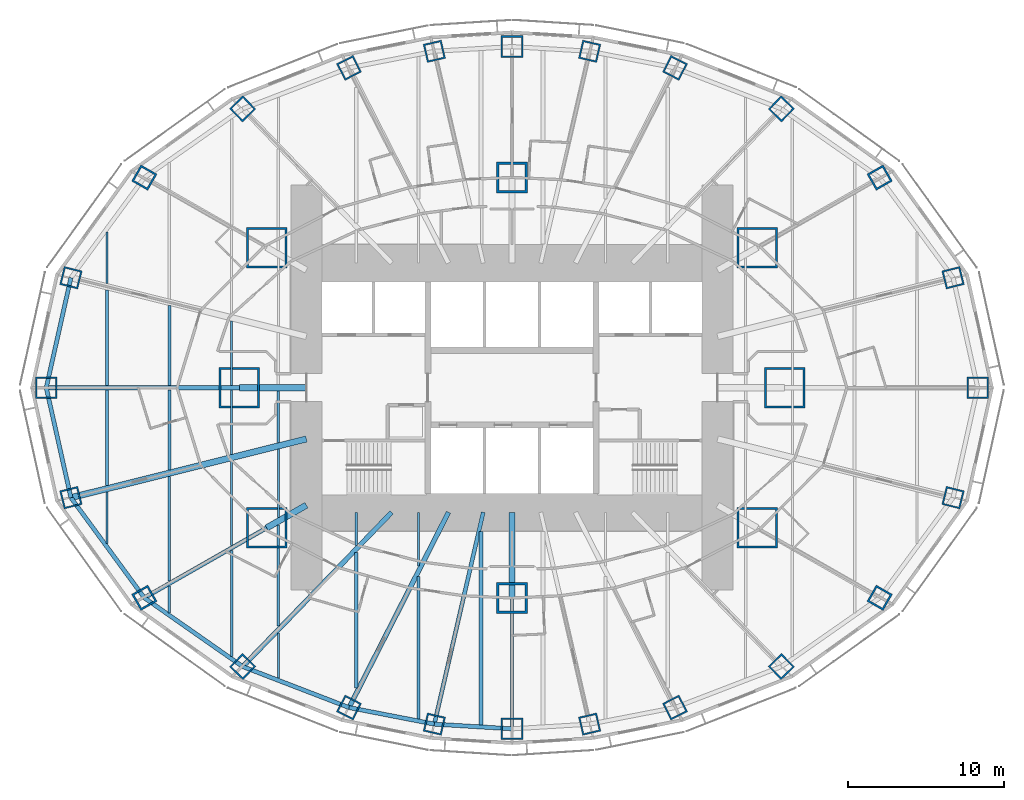
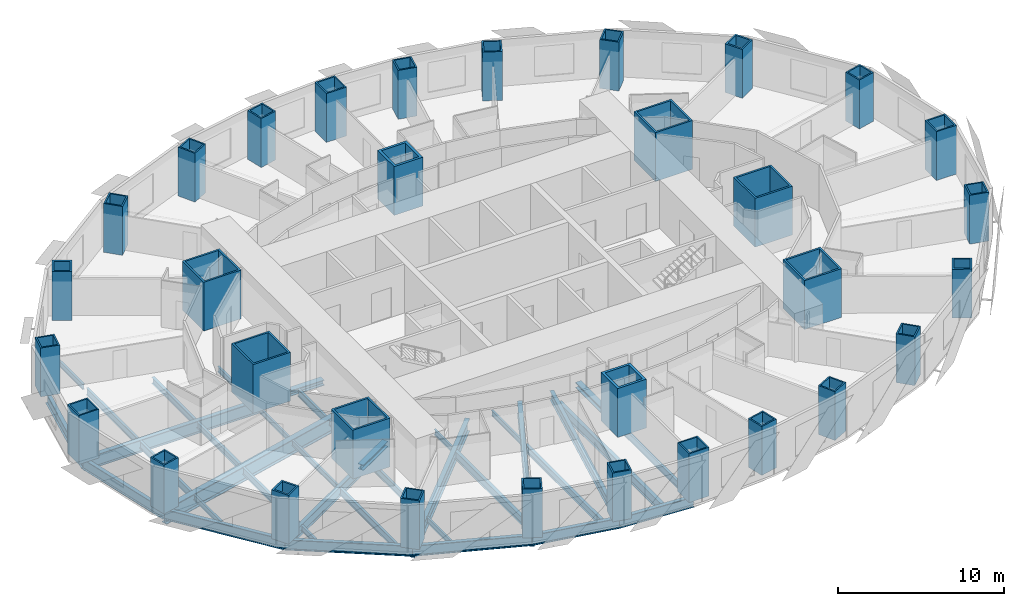
# One storey, part 1 of 15: 38 beams, 32 columns.
"""IFC4 building model written with IfcOpenShell, lengths in metres."""

from ifc_helpers import new_model, si_unit, direction, frame, origin, origin_2d, place, context, subcontext, project, spatial, rectangle, hollow_rectangle, i_section, extrude, material, material_profile, profile_set, type_object, element, save


model = new_model("IFC4")

# Units and contexts
model_context = context("Model", 3, precision=1e-05, world=origin(), true_north=direction((0.0, 1.0)))
body_context = subcontext(model_context, "Body", "Model", "MODEL_VIEW")
ifc_project = project(units=[si_unit("LENGTHUNIT", "METRE"), si_unit("AREAUNIT", "SQUARE_METRE"), si_unit("VOLUMEUNIT", "CUBIC_METRE"), si_unit("PLANEANGLEUNIT", "RADIAN"), si_unit("MASSUNIT", "GRAM", prefix="KILO")], contexts=[model_context])

# Site, building, storey
site_placement = place(None, origin())
site = spatial("IfcSite", under=ifc_project, at=site_placement, CompositionType="ELEMENT")
building_placement = place(site_placement, origin())
building = spatial("IfcBuilding", under=site, at=building_placement, Name="Lantaw Convention Tower", CompositionType="ELEMENT")
storey_placement = place(building_placement, frame((0.0, 0.0, 51.39990234375)))
storey = spatial("IfcBuildingStorey", under=building, at=storey_placement, Name="L10", CompositionType="ELEMENT", Elevation=51.39990234375)

# Columns
ifc_material_1 = material(Name="Steel EN 10025-3 S460N", Category="steel")
ifc_material_profile_1 = material_profile(ifc_material_1, hollow_rectangle(XDim=2.0, YDim=2.0, WallThickness=0.169921875, at=origin_2d()), Name="BOX2000X170")
ifc_material_2 = material(Name="Concrete C60/75", Category="concrete")
ifc_material_profile_2 = material_profile(ifc_material_2, rectangle(XDim=1.659912109375, YDim=1.659912109375, at=origin_2d()), Name="Concrete fill of BOX2000X170")
ifc_profile_set_1 = profile_set([ifc_material_profile_1, ifc_material_profile_2], Name="Steel EN 10025-3 S460N")
column_type_1 = type_object("IfcColumnType", Name="Column MC BOX2000X170", PredefinedType="COLUMN", material=ifc_profile_set_1)
for number, where, z_axis, x_axis, name in (
    (1, (0.0, 13.5, 0.0), (0.0, 0.0, 1.0), (1.0, 0.0, 0.0), "Mega column M3"),
    (2, (0.0, -13.5, 0.0), (0.0, 0.0, 1.0), (1.0, 0.0, 0.0), "Mega column M7"),
):
    element("IfcColumn", number, at=place(storey_placement, frame(where, z_axis=z_axis, x_axis=x_axis)), inside=storey, type_object=column_type_1, Name=name, PredefinedType="COLUMN", context=body_context, shape_type="SweptSolid", body=[
        extrude(hollow_rectangle(XDim=2.0, YDim=2.0, WallThickness=0.169921875, at=origin_2d()), origin(), (0.0, 0.0, 1.0), 3.60009765625),
    ])
ifc_material_profile_3 = material_profile(ifc_material_1, hollow_rectangle(XDim=2.60009765625, YDim=2.60009765625, WallThickness=0.1298828125, at=origin_2d()), Name="BOX2600X130")
ifc_material_profile_4 = material_profile(ifc_material_2, rectangle(XDim=2.340087890625, YDim=2.340087890625, at=origin_2d()), Name="Concrete fill of BOX2600X130")
ifc_profile_set_2 = profile_set([ifc_material_profile_3, ifc_material_profile_4], Name="Steel EN 10025-3 S460N")
column_type_2 = type_object("IfcColumnType", Name="Column MC BOX2600X130", PredefinedType="COLUMN", material=ifc_profile_set_2)
for number, where, z_axis, x_axis, name in (
    (3, (17.5, 0.0, 0.0), (0.0, 0.0, 1.0), (1.0, 0.0, 0.0), "Mega column M1"),
    (4, (15.75, 9.0, 0.0), (0.0, 0.0, 1.0), (1.0, 0.0, 0.0), "Mega column M2"),
    (5, (-15.75, 9.0, 0.0), (0.0, 0.0, 1.0), (1.0, 0.0, 0.0), "Mega column M4"),
    (6, (-17.5, 0.0, 0.0), (0.0, 0.0, 1.0), (1.0, 0.0, 0.0), "Mega column M5"),
    (7, (-15.75, -9.0, 0.0), (0.0, 0.0, 1.0), (1.0, 0.0, 0.0), "Mega column M6"),
    (8, (15.75, -9.0, 0.0), (0.0, 0.0, 1.0), (1.0, 0.0, 0.0), "Mega column M8"),
):
    element("IfcColumn", number, at=place(storey_placement, frame(where, z_axis=z_axis, x_axis=x_axis)), inside=storey, type_object=column_type_2, Name=name, PredefinedType="COLUMN", context=body_context, shape_type="SweptSolid", body=[
        extrude(hollow_rectangle(XDim=2.60009765625, YDim=2.60009765625, WallThickness=0.1298828125, at=origin_2d()), origin(), (0.0, 0.0, 1.0), 3.60009765625),
    ])
ifc_material_profile_5 = material_profile(ifc_material_1, hollow_rectangle(XDim=1.199951171875, YDim=1.199951171875, WallThickness=0.10009765625, at=origin_2d()), Name="BOX1200X100")
ifc_material_profile_6 = material_profile(ifc_material_2, rectangle(XDim=1.0, YDim=1.0, at=origin_2d()), Name="Concrete fill of BOX1200X100")
ifc_profile_set_3 = profile_set([ifc_material_profile_5, ifc_material_profile_6], Name="Steel EN 10025-3 S460N")
column_type_3 = type_object("IfcColumnType", Name="Column PC BOX1200X100", PredefinedType="COLUMN", material=ifc_profile_set_3)
for number, where, z_axis, x_axis, name in (
    (9, (28.31787109375, 7.060302734375, 0.0), (0.0, 0.0, 1.0), (0.970295726276, 0.2419218956, 0.0), "Perimeter column P2"),
    (10, (17.290771484375, 17.9052734375, 0.0), (0.0, 0.0, 1.0), (0.694658370459, 0.719339800339, 0.0), "Perimeter column P4"),
    (11, (10.462646484375, 20.533935546875, 0.0), (0.0, 0.0, 1.0), (0.45399049974, 0.891006524188, 0.0), "Perimeter column P5"),
    (12, (4.986328125, 21.59814453125, 0.0), (0.0, 0.0, 1.0), (0.224951054344, 0.974370064785, 0.0), "Perimeter column P6"),
    (13, (-4.986328125, 21.59814453125, 0.0), (0.0, 0.0, 1.0), (0.974370064785, 0.224951054344, 0.0), "Perimeter column P8"),
    (14, (-10.462646484375, 20.533935546875, 0.0), (0.0, 0.0, 1.0), (0.891006524188, 0.45399049974, 0.0), "Perimeter column P9"),
    (15, (-17.290771484375, 17.9052734375, 0.0), (0.0, 0.0, 1.0), (0.719339800339, 0.694658370459, 0.0), "Perimeter column P10"),
    (16, (-28.31787109375, 7.060302734375, 0.0), (0.0, 0.0, 1.0), (0.2419218956, 0.970295726276, 0.0), "Perimeter column P12"),
    (17, (-28.31787109375, -7.060302734375, 0.0), (0.0, 0.0, 1.0), (0.970295726276, 0.2419218956, 0.0), "Perimeter column P14"),
    (18, (-17.290771484375, -17.9052734375, 0.0), (0.0, 0.0, 1.0), (0.694658370459, 0.719339800339, 0.0), "Perimeter column P16"),
    (19, (-10.462646484375, -20.533935546875, 0.0), (0.0, 0.0, 1.0), (0.45399049974, 0.891006524188, 0.0), "Perimeter column P17"),
    (20, (-4.986328125, -21.59814453125, 0.0), (0.0, 0.0, 1.0), (0.224951054344, 0.974370064785, 0.0), "Perimeter column P18"),
    (21, (4.986328125, -21.59814453125, 0.0), (0.0, 0.0, 1.0), (0.974370064785, 0.224951054344, 0.0), "Perimeter column P20"),
    (22, (10.462646484375, -20.533935546875, 0.0), (0.0, 0.0, 1.0), (0.891006524188, 0.45399049974, 0.0), "Perimeter column P21"),
    (23, (17.290771484375, -17.9052734375, 0.0), (0.0, 0.0, 1.0), (0.719339800339, 0.694658370459, 0.0), "Perimeter column P22"),
    (24, (28.31787109375, -7.060302734375, 0.0), (0.0, 0.0, 1.0), (0.2419218956, 0.970295726276, 0.0), "Perimeter column P24"),
):
    element("IfcColumn", number, at=place(storey_placement, frame(where, z_axis=z_axis, x_axis=x_axis)), inside=storey, type_object=column_type_3, Name=name, PredefinedType="COLUMN", context=body_context, shape_type="SweptSolid", body=[
        extrude(hollow_rectangle(XDim=1.199951171875, YDim=1.199951171875, WallThickness=0.10009765625, at=origin_2d()), origin(), (0.0, 0.0, 1.0), 3.60009765625),
    ])
ifc_material_profile_7 = material_profile(ifc_material_1, hollow_rectangle(XDim=1.199951171875, YDim=1.199951171875, WallThickness=0.1201171875, at=origin_2d()), Name="BOX1200X120")
ifc_material_profile_8 = material_profile(ifc_material_2, rectangle(XDim=0.9599609375, YDim=0.9599609375, at=origin_2d()), Name="Concrete fill of BOX1200X120")
ifc_profile_set_4 = profile_set([ifc_material_profile_7, ifc_material_profile_8], Name="Steel EN 10025-3 S460N")
column_type_4 = type_object("IfcColumnType", Name="Column PC BOX1200X120", PredefinedType="COLUMN", material=ifc_profile_set_4)
for number, where, z_axis, x_axis, name in (
    (25, (23.60498046875, 13.488525390625, 0.0), (0.0, 0.0, 1.0), (0.86824298017, 0.496139221777, 0.0), "Perimeter column P3"),
    (26, (-23.60498046875, 13.488525390625, 0.0), (0.0, 0.0, 1.0), (0.496139221777, 0.86824298017, 0.0), "Perimeter column P11"),
    (27, (-23.60498046875, -13.488525390625, 0.0), (0.0, 0.0, 1.0), (0.86824298017, 0.496139221777, 0.0), "Perimeter column P15"),
    (28, (23.60498046875, -13.488525390625, 0.0), (0.0, 0.0, 1.0), (0.496139221777, 0.86824298017, 0.0), "Perimeter column P23"),
):
    element("IfcColumn", number, at=place(storey_placement, frame(where, z_axis=z_axis, x_axis=x_axis)), inside=storey, type_object=column_type_4, Name=name, PredefinedType="COLUMN", context=body_context, shape_type="SweptSolid", body=[
        extrude(hollow_rectangle(XDim=1.199951171875, YDim=1.199951171875, WallThickness=0.1201171875, at=origin_2d()), origin(), (0.0, 0.0, 1.0), 3.60009765625),
    ])
ifc_material_profile_9 = material_profile(ifc_material_1, hollow_rectangle(XDim=1.39990234375, YDim=1.39990234375, WallThickness=0.10009765625, at=origin_2d()), Name="BOX1400X100")
ifc_material_profile_10 = material_profile(ifc_material_2, rectangle(XDim=1.199951171875, YDim=1.199951171875, at=origin_2d()), Name="Concrete fill of BOX1400X100")
ifc_profile_set_5 = profile_set([ifc_material_profile_9, ifc_material_profile_10], Name="Steel EN 10025-3 S460N")
column_type_5 = type_object("IfcColumnType", Name="Column PC BOX1400X100", PredefinedType="COLUMN", material=ifc_profile_set_5)
for number, where, z_axis, x_axis, name in (
    (29, (29.89990234375, 0.0, 0.0), (0.0, 0.0, 1.0), (1.0, 0.0, 0.0), "Perimeter column P1"),
    (30, (0.0, 21.89990234375, 0.0), (0.0, 0.0, 1.0), (1.0, 0.0, 0.0), "Perimeter column P7"),
    (31, (-29.89990234375, 0.0, 0.0), (0.0, 0.0, 1.0), (1.0, 0.0, 0.0), "Perimeter column P13"),
    (32, (0.0, -21.89990234375, 0.0), (0.0, 0.0, 1.0), (1.0, 0.0, 0.0), "Perimeter column P19"),
):
    element("IfcColumn", number, at=place(storey_placement, frame(where, z_axis=z_axis, x_axis=x_axis)), inside=storey, type_object=column_type_5, Name=name, PredefinedType="COLUMN", context=body_context, shape_type="SweptSolid", body=[
        extrude(hollow_rectangle(XDim=1.39990234375, YDim=1.39990234375, WallThickness=0.10009765625, at=origin_2d()), origin(), (0.0, 0.0, 1.0), 3.60009765625),
    ])

# Beams
ifc_material_3 = material(Name="Steel ASTM A992", Category="steel")
ifc_material_profile_11 = material_profile(ifc_material_3, i_section(OverallWidth=0.2666015625, OverallDepth=0.76953125, WebThickness=0.015625, FlangeThickness=0.025390625, FilletRadius=0.0126953125, at=origin_2d()), Name="W30X132")
ifc_profile_set_6 = profile_set([ifc_material_profile_11], Name="Steel ASTM A992")
beam_type_1 = type_object("IfcBeamType", Name="Beam E W30X132", PredefinedType="SPANDREL", material=ifc_profile_set_6)
for number, where, z_axis, x_axis, name in (
    (33, (-28.31787109375, 7.060302734375, -0.53466796875), (-0.218652184873, -0.975802860239, 0.0), (0.975802860239, -0.218652184873, 0.0), "Edge beam 12"),
    (34, (-29.89990234375, 0.0, -0.53466796875), (0.218652184873, -0.975802860239, 0.0), (0.975802860239, 0.218652184873, 0.0), "Edge beam 13"),
):
    element("IfcBeam", number, at=place(storey_placement, frame(where, z_axis=z_axis, x_axis=x_axis)), inside=storey, type_object=beam_type_1, Name=name, PredefinedType="SPANDREL", context=body_context, shape_type="SweptSolid", body=[
        extrude(i_section(OverallWidth=0.2666015625, OverallDepth=0.76953125, WebThickness=0.015625, FlangeThickness=0.025390625, FilletRadius=0.0126953125, at=origin_2d()), origin(), (0.0, 0.0, 1.0), 7.2353515625),
    ])
beam_1_placement = place(storey_placement, frame((-28.31787109375, -7.060302734375, -0.53466796875), z_axis=(0.591270709086, -0.806473154281, 0.0), x_axis=(0.806473154281, 0.591270709086, 0.0)))
element("IfcBeam", 35, at=beam_1_placement, inside=storey, type_object=beam_type_1, Name="Edge beam 14", PredefinedType="SPANDREL", context=body_context, shape_type="SweptSolid", body=[
    extrude(i_section(OverallWidth=0.2666015625, OverallDepth=0.76953125, WebThickness=0.015625, FlangeThickness=0.025390625, FilletRadius=0.0126953125, at=origin_2d()), origin(), (0.0, 0.0, 1.0), 7.970703125),
])
beam_2_placement = place(storey_placement, frame((-23.60498046875, -13.488525390625, -0.53466796875), z_axis=(0.81942686407, -0.57318375277, 0.0), x_axis=(0.57318375277, 0.81942686407, 0.0)))
element("IfcBeam", 36, at=beam_2_placement, inside=storey, type_object=beam_type_1, Name="Edge beam 15", PredefinedType="SPANDREL", context=body_context, shape_type="SweptSolid", body=[
    extrude(i_section(OverallWidth=0.2666015625, OverallDepth=0.76953125, WebThickness=0.015625, FlangeThickness=0.025390625, FilletRadius=0.0126953125, at=origin_2d()), origin(), (0.0, 0.0, 1.0), 7.70556640625),
])
beam_3_placement = place(storey_placement, frame((-17.290771484375, -17.9052734375, -0.53466796875), z_axis=(0.933232900641, -0.359271976588, 0.0), x_axis=(0.359271976588, 0.933232900641, 0.0)))
element("IfcBeam", 37, at=beam_3_placement, inside=storey, type_object=beam_type_1, Name="Edge beam 16", PredefinedType="SPANDREL", context=body_context, shape_type="SweptSolid", body=[
    extrude(i_section(OverallWidth=0.2666015625, OverallDepth=0.76953125, WebThickness=0.015625, FlangeThickness=0.025390625, FilletRadius=0.0126953125, at=origin_2d()), origin(), (0.0, 0.0, 1.0), 7.316650390625),
])
beam_4_placement = place(storey_placement, frame((-10.462646484375, -20.533935546875, -0.53466796875), z_axis=(0.981636565323, -0.190760723474, 0.0), x_axis=(0.190760723474, 0.981636565323, 0.0)))
element("IfcBeam", 38, at=beam_4_placement, inside=storey, type_object=beam_type_1, Name="Edge beam 17", PredefinedType="SPANDREL", context=body_context, shape_type="SweptSolid", body=[
    extrude(i_section(OverallWidth=0.2666015625, OverallDepth=0.76953125, WebThickness=0.015625, FlangeThickness=0.025390625, FilletRadius=0.0126953125, at=origin_2d()), origin(), (0.0, 0.0, 1.0), 5.578857421875),
])
beam_5_placement = place(storey_placement, frame((-4.986328125, -21.59814453125, -0.53466796875), z_axis=(0.998173858406, -0.060406526096, 0.0), x_axis=(0.060406526096, 0.998173858406, 0.0)))
element("IfcBeam", 39, at=beam_5_placement, inside=storey, type_object=beam_type_1, Name="Edge beam 18", PredefinedType="SPANDREL", context=body_context, shape_type="SweptSolid", body=[
    extrude(i_section(OverallWidth=0.2666015625, OverallDepth=0.76953125, WebThickness=0.015625, FlangeThickness=0.025390625, FilletRadius=0.0126953125, at=origin_2d()), origin(), (0.0, 0.0, 1.0), 4.995361328125),
])
ifc_material_profile_12 = material_profile(ifc_material_3, i_section(OverallWidth=0.1650390625, OverallDepth=0.52587890625, WebThickness=0.0087890625, FlangeThickness=0.011474609375, FilletRadius=0.0126953125, at=origin_2d()), Name="W21X44")
ifc_profile_set_7 = profile_set([ifc_material_profile_12], Name="Steel ASTM A992")
beam_type_2 = type_object("IfcBeamType", Name="Beam G W21X44", PredefinedType="BEAM", material=ifc_profile_set_7)
beam_6_placement = place(storey_placement, frame((0.0, -13.5, -0.412841796875), z_axis=(0.0, -1.0, 0.0), x_axis=(1.0, 0.0, 0.0)))
element("IfcBeam", 40, at=beam_6_placement, inside=storey, type_object=beam_type_2, Name="Floor girder on ray 19", PredefinedType="BEAM", context=body_context, shape_type="SweptSolid", body=[
    extrude(i_section(OverallWidth=0.1650390625, OverallDepth=0.52587890625, WebThickness=0.0087890625, FlangeThickness=0.011474609375, FilletRadius=0.0126953125, at=origin_2d()), origin(), (0.0, 0.0, 1.0), 8.39990234375),
])
ifc_material_profile_13 = material_profile(ifc_material_3, i_section(OverallWidth=0.25390625, OverallDepth=0.683349609375, WebThickness=0.012451171875, FlangeThickness=0.01904296875, FilletRadius=0.01513671875, at=origin_2d()), Name="W27X94")
ifc_profile_set_8 = profile_set([ifc_material_profile_13], Name="Steel ASTM A992")
beam_type_3 = type_object("IfcBeamType", Name="Beam G W27X94", PredefinedType="BEAM", material=ifc_profile_set_8)
beam_7_placement = place(storey_placement, frame((-1.846923828125, -8.0, -0.491455078125), z_axis=(-0.224952773175, -0.97436966796, 0.0), x_axis=(0.97436966796, -0.224952773175, 0.0)))
element("IfcBeam", 41, at=beam_7_placement, inside=storey, type_object=beam_type_3, Name="Floor girder on ray 18", PredefinedType="BEAM", context=body_context, shape_type="SweptSolid", body=[
    extrude(i_section(OverallWidth=0.25390625, OverallDepth=0.683349609375, WebThickness=0.012451171875, FlangeThickness=0.01904296875, FilletRadius=0.01513671875, at=origin_2d()), origin(), (0.0, 0.0, 1.0), 13.955810546875),
])
ifc_material_profile_14 = material_profile(ifc_material_3, i_section(OverallWidth=0.2666015625, OverallDepth=0.7568359375, WebThickness=0.013916015625, FlangeThickness=0.019287109375, FilletRadius=0.0126953125, at=origin_2d()), Name="W30X108")
ifc_profile_set_9 = profile_set([ifc_material_profile_14], Name="Steel ASTM A992")
beam_type_4 = type_object("IfcBeamType", Name="Beam G W30X108", PredefinedType="BEAM", material=ifc_profile_set_9)
beam_8_placement = place(storey_placement, frame((-15.75, -9.0, -0.5283203125), z_axis=(-0.868244802791, -0.496136032179, 0.0), x_axis=(0.496136032179, -0.868244802791, 0.0)))
element("IfcBeam", 42, at=beam_8_placement, inside=storey, type_object=beam_type_4, Name="Floor girder on ray 15", PredefinedType="BEAM", context=body_context, shape_type="SweptSolid", body=[
    extrude(i_section(OverallWidth=0.2666015625, OverallDepth=0.7568359375, WebThickness=0.013916015625, FlangeThickness=0.019287109375, FilletRadius=0.0126953125, at=origin_2d()), origin(), (0.0, 0.0, 1.0), 9.046875),
])
ifc_material_profile_15 = material_profile(ifc_material_3, i_section(OverallWidth=0.307373046875, OverallDepth=0.922119140625, WebThickness=0.018310546875, FlangeThickness=0.030029296875, FilletRadius=0.0126953125, at=origin_2d()), Name="W36X182")
ifc_profile_set_10 = profile_set([ifc_material_profile_15], Name="Steel ASTM A992")
beam_type_5 = type_object("IfcBeamType", Name="Beam G W36X182", PredefinedType="BEAM", material=ifc_profile_set_10)
beam_9_placement = place(storey_placement, frame((-17.5, 0.0, -0.61083984375), z_axis=(-1.0, 0.0, 0.0), x_axis=(0.0, -1.0, 0.0)))
element("IfcBeam", 43, at=beam_9_placement, inside=storey, type_object=beam_type_5, Name="Floor girder on ray 13", PredefinedType="BEAM", context=body_context, shape_type="SweptSolid", body=[
    extrude(i_section(OverallWidth=0.307373046875, OverallDepth=0.922119140625, WebThickness=0.018310546875, FlangeThickness=0.030029296875, FilletRadius=0.0126953125, at=origin_2d()), origin(), (0.0, 0.0, 1.0), 12.39990234375),
])
beam_10_placement = place(storey_placement, frame((-7.7255859375, -8.0, -0.61083984375), z_axis=(-0.694649884291, -0.719347995239, 0.0), x_axis=(0.719347995239, -0.694649884291, 0.0)))
element("IfcBeam", 44, at=beam_10_placement, inside=storey, type_object=beam_type_5, Name="Floor girder on ray 16", PredefinedType="BEAM", context=body_context, shape_type="SweptSolid", body=[
    extrude(i_section(OverallWidth=0.307373046875, OverallDepth=0.922119140625, WebThickness=0.018310546875, FlangeThickness=0.030029296875, FilletRadius=0.0126953125, at=origin_2d()), origin(), (0.0, 0.0, 1.0), 13.769775390625),
])
beam_11_placement = place(storey_placement, frame((-4.076171875, -8.0, -0.61083984375), z_axis=(-0.453997016122, -0.891003203896, 0.0), x_axis=(0.891003203896, -0.453997016122, 0.0)))
element("IfcBeam", 45, at=beam_11_placement, inside=storey, type_object=beam_type_5, Name="Floor girder on ray 17", PredefinedType="BEAM", context=body_context, shape_type="SweptSolid", body=[
    extrude(i_section(OverallWidth=0.307373046875, OverallDepth=0.922119140625, WebThickness=0.018310546875, FlangeThickness=0.030029296875, FilletRadius=0.0126953125, at=origin_2d()), origin(), (0.0, 0.0, 1.0), 14.067138671875),
])
ifc_material_profile_16 = material_profile(ifc_material_3, i_section(OverallWidth=0.40380859375, OverallDepth=1.11767578125, WebThickness=0.026123046875, FlangeThickness=0.044921875, FilletRadius=0.02001953125, at=origin_2d()), Name="W44X335")
ifc_profile_set_11 = profile_set([ifc_material_profile_16], Name="Steel ASTM A992")
beam_type_6 = type_object("IfcBeamType", Name="Beam G W44X335", PredefinedType="BEAM", material=ifc_profile_set_11)
beam_12_placement = place(storey_placement, frame((-13.199951171875, -3.291015625, -0.708740234375), z_axis=(-0.970296233567, -0.241919860957, 0.0), x_axis=(0.241919860957, -0.970296233567, 0.0)))
element("IfcBeam", 46, at=beam_12_placement, inside=storey, type_object=beam_type_6, Name="Floor girder on ray 14", PredefinedType="BEAM", context=body_context, shape_type="SweptSolid", body=[
    extrude(i_section(OverallWidth=0.40380859375, OverallDepth=1.11767578125, WebThickness=0.026123046875, FlangeThickness=0.044921875, FilletRadius=0.02001953125, at=origin_2d()), origin(), (0.0, 0.0, 1.0), 15.580810546875),
])
ifc_material_profile_17 = material_profile(ifc_material_3, i_section(OverallWidth=0.40380859375, OverallDepth=0.406494140625, WebThickness=0.027099609375, FlangeThickness=0.043701171875, FilletRadius=0.01513671875, at=origin_2d()), Name="W14X233")
ifc_profile_set_12 = profile_set([ifc_material_profile_17], Name="Steel ASTM A992")
beam_type_7 = type_object("IfcBeamType", Name="Beam GM W14X233", PredefinedType="BEAM", material=ifc_profile_set_12)
beam_13_placement = place(storey_placement, frame((-13.199951171875, 0.0, -0.35302734375), z_axis=(-1.0, 0.0, 0.0), x_axis=(0.0, -1.0, 0.0)))
element("IfcBeam", 47, at=beam_13_placement, inside=storey, type_object=beam_type_7, Name="Core link beam on ray 13", PredefinedType="BEAM", context=body_context, shape_type="SweptSolid", body=[
    extrude(i_section(OverallWidth=0.40380859375, OverallDepth=0.406494140625, WebThickness=0.027099609375, FlangeThickness=0.043701171875, FilletRadius=0.01513671875, at=origin_2d()), origin(), (0.0, 0.0, 1.0), 4.300048828125),
])
beam_14_placement = place(storey_placement, frame((-13.199951171875, -7.54296875, -0.35302734375), z_axis=(-0.868263603466, -0.496103129295, 0.0), x_axis=(0.496103129295, -0.868263603466, 0.0)))
element("IfcBeam", 48, at=beam_14_placement, inside=storey, type_object=beam_type_7, Name="Core link beam on ray 15", PredefinedType="BEAM", context=body_context, shape_type="SweptSolid", body=[
    extrude(i_section(OverallWidth=0.40380859375, OverallDepth=0.406494140625, WebThickness=0.027099609375, FlangeThickness=0.043701171875, FilletRadius=0.01513671875, at=origin_2d()), origin(), (0.0, 0.0, 1.0), 2.93701171875),
])
beam_15_placement = place(storey_placement, frame((0.0, -8.0, -0.35302734375), z_axis=(0.0, -1.0, 0.0), x_axis=(1.0, 0.0, 0.0)))
element("IfcBeam", 49, at=beam_15_placement, inside=storey, type_object=beam_type_7, Name="Core link beam on ray 19", PredefinedType="BEAM", context=body_context, shape_type="SweptSolid", body=[
    extrude(i_section(OverallWidth=0.40380859375, OverallDepth=0.406494140625, WebThickness=0.027099609375, FlangeThickness=0.043701171875, FilletRadius=0.01513671875, at=origin_2d()), origin(), (0.0, 0.0, 1.0), 5.5),
])
ifc_material_profile_18 = material_profile(ifc_material_3, i_section(OverallWidth=0.140380859375, OverallDepth=0.40380859375, WebThickness=0.007080078125, FlangeThickness=0.01123046875, FilletRadius=0.01025390625, at=origin_2d()), Name="W16X31")
ifc_profile_set_13 = profile_set([ifc_material_profile_18], Name="Steel ASTM A992")
beam_type_8 = type_object("IfcBeamType", Name="Beam J W16X31", PredefinedType="JOIST", material=ifc_profile_set_13)
for number, where, z_axis, x_axis, name in (
    (50, (-26.0, -9.996337890625, -0.351806640625), (0.0, 1.0, 0.0), (-1.0, 0.0, 0.0), "Floor joist"),
    (51, (-26.0, 6.690673828125, -0.351806640625), (0.0, 1.0, 0.0), (-1.0, 0.0, 0.0), "Floor joist"),
):
    element("IfcBeam", number, at=place(storey_placement, frame(where, z_axis=z_axis, x_axis=x_axis)), inside=storey, type_object=beam_type_8, Name=name, PredefinedType="JOIST", context=body_context, shape_type="SweptSolid", body=[
        extrude(i_section(OverallWidth=0.140380859375, OverallDepth=0.40380859375, WebThickness=0.007080078125, FlangeThickness=0.01123046875, FilletRadius=0.01025390625, at=origin_2d()), origin(), (0.0, 0.0, 1.0), 3.3056640625),
    ])
beam_16_placement = place(storey_placement, frame((-22.0, -14.448486328125, -0.351806640625), z_axis=(0.0, 1.0, 0.0), x_axis=(-1.0, 0.0, 0.0)))
element("IfcBeam", 52, at=beam_16_placement, inside=storey, type_object=beam_type_8, Name="Floor joist", PredefinedType="JOIST", context=body_context, shape_type="SweptSolid", body=[
    extrude(i_section(OverallWidth=0.140380859375, OverallDepth=0.40380859375, WebThickness=0.007080078125, FlangeThickness=0.01123046875, FilletRadius=0.01025390625, at=origin_2d()), origin(), (0.0, 0.0, 1.0), 1.723388671875),
])
beam_17_placement = place(storey_placement, frame((-18.0, -10.132080078125, -0.351806640625), z_axis=(0.0, 1.0, 0.0), x_axis=(-1.0, 0.0, 0.0)))
element("IfcBeam", 53, at=beam_17_placement, inside=storey, type_object=beam_type_8, Name="Floor joist", PredefinedType="JOIST", context=body_context, shape_type="SweptSolid", body=[
    extrude(i_section(OverallWidth=0.140380859375, OverallDepth=0.40380859375, WebThickness=0.007080078125, FlangeThickness=0.01123046875, FilletRadius=0.01025390625, at=origin_2d()), origin(), (0.0, 0.0, 1.0), 5.43603515625),
])
for number, where, z_axis, x_axis, name in (
    (54, (-18.0, -4.27978515625, -0.351806640625), (0.0, 1.0, 0.0), (-1.0, 0.0, 0.0), "Floor joist"),
    (55, (-18.0, 0.153564453125, -0.351806640625), (0.0, 1.0, 0.0), (-1.0, 0.0, 0.0), "Floor joist"),
):
    element("IfcBeam", number, at=place(storey_placement, frame(where, z_axis=z_axis, x_axis=x_axis)), inside=storey, type_object=beam_type_8, Name=name, PredefinedType="JOIST", context=body_context, shape_type="SweptSolid", body=[
        extrude(i_section(OverallWidth=0.140380859375, OverallDepth=0.40380859375, WebThickness=0.007080078125, FlangeThickness=0.01123046875, FilletRadius=0.01025390625, at=origin_2d()), origin(), (0.0, 0.0, 1.0), 4.126220703125),
    ])
beam_18_placement = place(storey_placement, frame((-15.0, -18.644287109375, -0.351806640625), z_axis=(0.0, 1.0, 0.0), x_axis=(-1.0, 0.0, 0.0)))
element("IfcBeam", 56, at=beam_18_placement, inside=storey, type_object=beam_type_8, Name="Floor joist", PredefinedType="JOIST", context=body_context, shape_type="SweptSolid", body=[
    extrude(i_section(OverallWidth=0.140380859375, OverallDepth=0.40380859375, WebThickness=0.007080078125, FlangeThickness=0.01123046875, FilletRadius=0.01025390625, at=origin_2d()), origin(), (0.0, 0.0, 1.0), 2.89013671875),
])
beam_19_placement = place(storey_placement, frame((-15.0, -8.3388671875, -0.351806640625), z_axis=(0.0, 1.0, 0.0), x_axis=(-1.0, 0.0, 0.0)))
element("IfcBeam", 57, at=beam_19_placement, inside=storey, type_object=beam_type_8, Name="Floor joist", PredefinedType="JOIST", context=body_context, shape_type="SweptSolid", body=[
    extrude(i_section(OverallWidth=0.140380859375, OverallDepth=0.40380859375, WebThickness=0.007080078125, FlangeThickness=0.01123046875, FilletRadius=0.01025390625, at=origin_2d()), origin(), (0.0, 0.0, 1.0), 4.390869140625),
])
beam_20_placement = place(storey_placement, frame((-10.0, -10.134033203125, -0.351806640625), z_axis=(0.0, 1.0, 0.0), x_axis=(-1.0, 0.0, 0.0)))
element("IfcBeam", 58, at=beam_20_placement, inside=storey, type_object=beam_type_8, Name="Floor joist", PredefinedType="JOIST", context=body_context, shape_type="SweptSolid", body=[
    extrude(i_section(OverallWidth=0.140380859375, OverallDepth=0.40380859375, WebThickness=0.007080078125, FlangeThickness=0.01123046875, FilletRadius=0.01025390625, at=origin_2d()), origin(), (0.0, 0.0, 1.0), 2.134033203125),
])
beam_21_placement = place(storey_placement, frame((-6.0, -11.437255859375, -0.351806640625), z_axis=(0.0, 1.0, 0.0), x_axis=(-1.0, 0.0, 0.0)))
element("IfcBeam", 59, at=beam_21_placement, inside=storey, type_object=beam_type_8, Name="Floor joist", PredefinedType="JOIST", context=body_context, shape_type="SweptSolid", body=[
    extrude(i_section(OverallWidth=0.140380859375, OverallDepth=0.40380859375, WebThickness=0.007080078125, FlangeThickness=0.01123046875, FilletRadius=0.01025390625, at=origin_2d()), origin(), (0.0, 0.0, 1.0), 3.437255859375),
])
ifc_material_profile_19 = material_profile(ifc_material_3, i_section(OverallWidth=0.1904296875, OverallDepth=0.457275390625, WebThickness=0.009033203125, FlangeThickness=0.014404296875, FilletRadius=0.01025390625, at=origin_2d()), Name="W18X50")
ifc_profile_set_14 = profile_set([ifc_material_profile_19], Name="Steel ASTM A992")
beam_type_9 = type_object("IfcBeamType", Name="Beam J W18X50", PredefinedType="JOIST", material=ifc_profile_set_14)
for number, where, z_axis, x_axis, name in (
    (60, (-22.0, -5.277099609375, -0.37841796875), (0.0, 1.0, 0.0), (-1.0, 0.0, 0.0), "Floor joist"),
    (61, (-22.0, 0.153564453125, -0.37841796875), (0.0, 1.0, 0.0), (-1.0, 0.0, 0.0), "Floor joist"),
):
    element("IfcBeam", number, at=place(storey_placement, frame(where, z_axis=z_axis, x_axis=x_axis)), inside=storey, type_object=beam_type_9, Name=name, PredefinedType="JOIST", context=body_context, shape_type="SweptSolid", body=[
        extrude(i_section(OverallWidth=0.1904296875, OverallDepth=0.457275390625, WebThickness=0.009033203125, FlangeThickness=0.014404296875, FilletRadius=0.01025390625, at=origin_2d()), origin(), (0.0, 0.0, 1.0), 5.12353515625),
    ])
ifc_material_profile_20 = material_profile(ifc_material_3, i_section(OverallWidth=0.1650390625, OverallDepth=0.52587890625, WebThickness=0.0087890625, FlangeThickness=0.011474609375, FilletRadius=0.0126953125, at=origin_2d()), Name="W21X44")
ifc_profile_set_15 = profile_set([ifc_material_profile_20], Name="Steel ASTM A992")
beam_type_10 = type_object("IfcBeamType", Name="Beam J W21X44", PredefinedType="JOIST", material=ifc_profile_set_15)
beam_22_placement = place(storey_placement, frame((-22.0, -12.41796875, -0.412841796875), z_axis=(0.0, 1.0, 0.0), x_axis=(-1.0, 0.0, 0.0)))
element("IfcBeam", 62, at=beam_22_placement, inside=storey, type_object=beam_type_10, Name="Floor joist", PredefinedType="JOIST", context=body_context, shape_type="SweptSolid", body=[
    extrude(i_section(OverallWidth=0.1650390625, OverallDepth=0.52587890625, WebThickness=0.0087890625, FlangeThickness=0.011474609375, FilletRadius=0.0126953125, at=origin_2d()), origin(), (0.0, 0.0, 1.0), 6.724609375),
])
beam_23_placement = place(storey_placement, frame((-18.0, -17.246337890625, -0.412841796875), z_axis=(0.0, 1.0, 0.0), x_axis=(-1.0, 0.0, 0.0)))
element("IfcBeam", 63, at=beam_23_placement, inside=storey, type_object=beam_type_10, Name="Floor joist", PredefinedType="JOIST", context=body_context, shape_type="SweptSolid", body=[
    extrude(i_section(OverallWidth=0.1650390625, OverallDepth=0.52587890625, WebThickness=0.0087890625, FlangeThickness=0.011474609375, FilletRadius=0.0126953125, at=origin_2d()), origin(), (0.0, 0.0, 1.0), 6.80712890625),
])
beam_24_placement = place(storey_placement, frame((-15.0, -15.311767578125, -0.412841796875), z_axis=(0.0, 1.0, 0.0), x_axis=(-1.0, 0.0, 0.0)))
element("IfcBeam", 64, at=beam_24_placement, inside=storey, type_object=beam_type_10, Name="Floor joist", PredefinedType="JOIST", context=body_context, shape_type="SweptSolid", body=[
    extrude(i_section(OverallWidth=0.1650390625, OverallDepth=0.52587890625, WebThickness=0.0087890625, FlangeThickness=0.011474609375, FilletRadius=0.0126953125, at=origin_2d()), origin(), (0.0, 0.0, 1.0), 6.5078125),
])
ifc_material_profile_21 = material_profile(ifc_material_3, i_section(OverallWidth=0.165771484375, OverallDepth=0.5283203125, WebThickness=0.009765625, FlangeThickness=0.013671875, FilletRadius=0.012939453125, at=origin_2d()), Name="W21X50")
ifc_profile_set_16 = profile_set([ifc_material_profile_21], Name="Steel ASTM A992")
beam_type_11 = type_object("IfcBeamType", Name="Beam J W21X50", PredefinedType="JOIST", material=ifc_profile_set_16)
for number, where, z_axis, x_axis, name in (
    (65, (-26.0, -6.2744140625, -0.4140625), (0.0, 1.0, 0.0), (-1.0, 0.0, 0.0), "Floor joist"),
    (66, (-26.0, 0.153564453125, -0.4140625), (0.0, 1.0, 0.0), (-1.0, 0.0, 0.0), "Floor joist"),
):
    element("IfcBeam", number, at=place(storey_placement, frame(where, z_axis=z_axis, x_axis=x_axis)), inside=storey, type_object=beam_type_11, Name=name, PredefinedType="JOIST", context=body_context, shape_type="SweptSolid", body=[
        extrude(i_section(OverallWidth=0.165771484375, OverallDepth=0.5283203125, WebThickness=0.009765625, FlangeThickness=0.013671875, FilletRadius=0.012939453125, at=origin_2d()), origin(), (0.0, 0.0, 1.0), 6.120849609375),
    ])
beam_25_placement = place(storey_placement, frame((-15.0, -3.53173828125, -0.4140625), z_axis=(0.0, 1.0, 0.0), x_axis=(-1.0, 0.0, 0.0)))
element("IfcBeam", 67, at=beam_25_placement, inside=storey, type_object=beam_type_11, Name="Floor joist", PredefinedType="JOIST", context=body_context, shape_type="SweptSolid", body=[
    extrude(i_section(OverallWidth=0.165771484375, OverallDepth=0.5283203125, WebThickness=0.009765625, FlangeThickness=0.013671875, FilletRadius=0.012939453125, at=origin_2d()), origin(), (0.0, 0.0, 1.0), 3.329833984375),
])
ifc_material_profile_22 = material_profile(ifc_material_3, i_section(OverallWidth=0.2099609375, OverallDepth=0.535888671875, WebThickness=0.010986328125, FlangeThickness=0.017333984375, FilletRadius=0.012939453125, at=origin_2d()), Name="W21X68")
ifc_profile_set_17 = profile_set([ifc_material_profile_22], Name="Steel ASTM A992")
beam_type_12 = type_object("IfcBeamType", Name="Beam J W21X68", PredefinedType="JOIST", material=ifc_profile_set_17)
beam_26_placement = place(storey_placement, frame((-6.0, -21.26513671875, -0.41796875), z_axis=(0.0, 1.0, 0.0), x_axis=(-1.0, 0.0, 0.0)))
element("IfcBeam", 68, at=beam_26_placement, inside=storey, type_object=beam_type_12, Name="Floor joist", PredefinedType="JOIST", context=body_context, shape_type="SweptSolid", body=[
    extrude(i_section(OverallWidth=0.2099609375, OverallDepth=0.535888671875, WebThickness=0.010986328125, FlangeThickness=0.017333984375, FilletRadius=0.012939453125, at=origin_2d()), origin(), (0.0, 0.0, 1.0), 9.15087890625),
])
ifc_material_profile_23 = material_profile(ifc_material_3, i_section(OverallWidth=0.227783203125, OverallDepth=0.60205078125, WebThickness=0.010498046875, FlangeThickness=0.014892578125, FilletRadius=0.012939453125, at=origin_2d()), Name="W24X68")
ifc_profile_set_18 = profile_set([ifc_material_profile_23], Name="Steel ASTM A992")
beam_type_13 = type_object("IfcBeamType", Name="Beam J W24X68", PredefinedType="JOIST", material=ifc_profile_set_18)
beam_27_placement = place(storey_placement, frame((-10.0, -19.28759765625, -0.450927734375), z_axis=(0.0, 1.0, 0.0), x_axis=(-1.0, 0.0, 0.0)))
element("IfcBeam", 69, at=beam_27_placement, inside=storey, type_object=beam_type_13, Name="Floor joist", PredefinedType="JOIST", context=body_context, shape_type="SweptSolid", body=[
    extrude(i_section(OverallWidth=0.227783203125, OverallDepth=0.60205078125, WebThickness=0.010498046875, FlangeThickness=0.014892578125, FilletRadius=0.012939453125, at=origin_2d()), origin(), (0.0, 0.0, 1.0), 8.711181640625),
])
ifc_material_profile_24 = material_profile(ifc_material_3, i_section(OverallWidth=0.25390625, OverallDepth=0.700927734375, WebThickness=0.015380859375, FlangeThickness=0.02783203125, FilletRadius=0.01513671875, at=origin_2d()), Name="W27X129")
ifc_profile_set_19 = profile_set([ifc_material_profile_24], Name="Steel ASTM A992")
beam_type_14 = type_object("IfcBeamType", Name="Beam J W27X129", PredefinedType="JOIST", material=ifc_profile_set_19)
beam_28_placement = place(storey_placement, frame((-2.0, -21.645263671875, -0.50048828125), z_axis=(0.0, 1.0, 0.0), x_axis=(-1.0, 0.0, 0.0)))
element("IfcBeam", 70, at=beam_28_placement, inside=storey, type_object=beam_type_14, Name="Floor joist", PredefinedType="JOIST", context=body_context, shape_type="SweptSolid", body=[
    extrude(i_section(OverallWidth=0.25390625, OverallDepth=0.700927734375, WebThickness=0.015380859375, FlangeThickness=0.02783203125, FilletRadius=0.01513671875, at=origin_2d()), origin(), (0.0, 0.0, 1.0), 12.417724609375),
])

save(model, "model.ifc")
